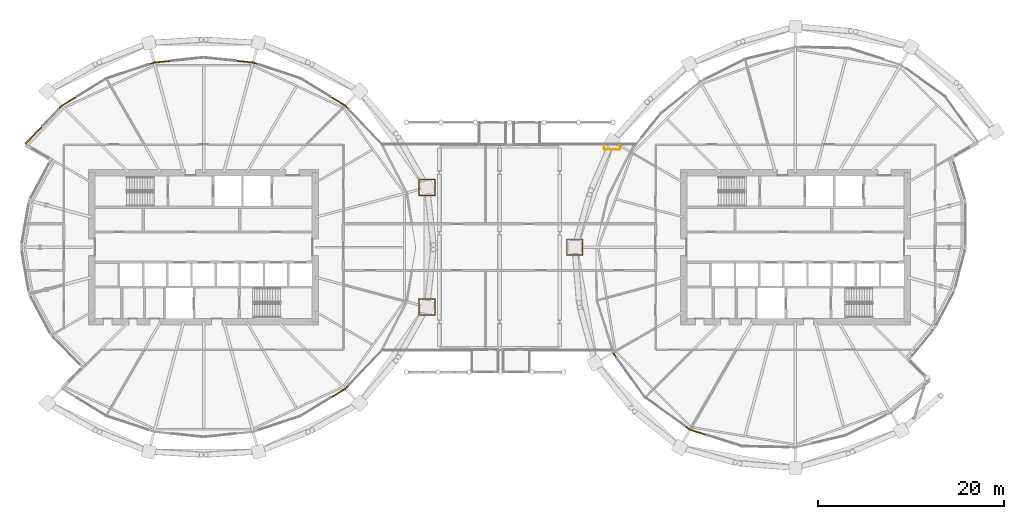
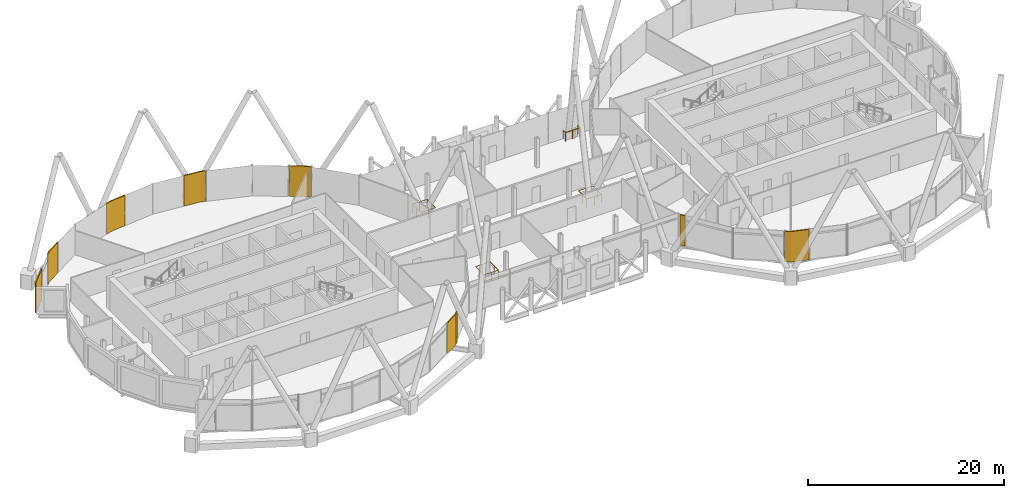
# One storey, part 33 of 35: 8 coverings, 4 railings.
"""IFC4 building model written with IfcOpenShell, lengths in metres."""

from ifc_helpers import new_model, si_unit, direction, frame, origin, origin_2d, place, context, subcontext, project, spatial, polyline, circle, outline, extrude, material, layer, layer_set, type_object, element, save


model = new_model("IFC4")

# Units and contexts
model_context = context("Model", 3, precision=1e-05, world=origin(), true_north=direction((0.0, 1.0)))
body_context = subcontext(model_context, "Body", "Model", "MODEL_VIEW")
ifc_project = project(units=[si_unit("LENGTHUNIT", "METRE"), si_unit("AREAUNIT", "SQUARE_METRE"), si_unit("VOLUMEUNIT", "CUBIC_METRE"), si_unit("PLANEANGLEUNIT", "RADIAN"), si_unit("MASSUNIT", "GRAM", prefix="KILO")], contexts=[model_context])

# Site, building, storey
site_placement = place(None, origin())
site = spatial("IfcSite", under=ifc_project, at=site_placement, CompositionType="ELEMENT")
building_placement = place(site_placement, origin())
building = spatial("IfcBuilding", under=site, at=building_placement, Name="Rimbun Link Towers", CompositionType="ELEMENT")
storey_placement = place(building_placement, frame((0.0, 0.0, 146.800048828125)))
storey = spatial("IfcBuildingStorey", under=building, at=storey_placement, Name="L35", CompositionType="ELEMENT", Elevation=146.800048828125)

# Railings
ifc_material_1 = material(Name="Stainless steel grade 316", Category="steel")
railing_type = type_object("IfcRailingType", Name="GUARD stainless rail and posts", PredefinedType="GUARDRAIL", material=ifc_material_1)
for number, where, name in (
    (1, (-6.928466796875, 7.27685546875, 0.0), "GUARD"),
    (2, (-6.928466796875, -5.56689453125, 0.0), "GUARD"),
):
    element("IfcRailing", number, at=place(storey_placement, frame(where)), inside=storey, type_object=railing_type, Name=name, PredefinedType="GUARDRAIL", context=body_context, shape_type="SweptSolid", body=[
        extrude(circle(Radius=0.02392578125, at=origin_2d()), frame((0.0, 0.0, 1.076171875), z_axis=(0.0, -1.0, 0.0), x_axis=(1.0, 0.0, 0.0)), (0.0, 0.0, 1.0), 1.7099609375),
        extrude(circle(Radius=0.02392578125, at=origin_2d()), frame((0.0, -1.7099609375, 1.076171875), z_axis=(-1.0, 0.0, 0.0), x_axis=(0.0, -1.0, 0.0)), (0.0, 0.0, 1.0), 1.7099609375),
        extrude(circle(Radius=0.02392578125, at=origin_2d()), frame((-1.7099609375, -1.7099609375, 1.076171875), z_axis=(0.0, 1.0, 0.0), x_axis=(-1.0, 0.0, 0.0)), (0.0, 0.0, 1.0), 1.7099609375),
        extrude(circle(Radius=0.02392578125, at=origin_2d()), frame((-1.7099609375, 0.0, 1.076171875), z_axis=(1.0, 0.0, 0.0), x_axis=(0.0, 1.0, 0.0)), (0.0, 0.0, 1.0), 1.7099609375),
        extrude(circle(Radius=0.02099609375, at=origin_2d()), origin(), (0.0, 0.0, 1.0), 1.052001953125),
        extrude(circle(Radius=0.02099609375, at=origin_2d()), frame((0.0, -0.85498046875, 0.0)), (0.0, 0.0, 1.0), 1.052001953125),
        extrude(circle(Radius=0.02099609375, at=origin_2d()), frame((0.0, -1.7099609375, 0.0)), (0.0, 0.0, 1.0), 1.052001953125),
        extrude(circle(Radius=0.02099609375, at=origin_2d()), frame((-0.85498046875, -1.7099609375, 0.0)), (0.0, 0.0, 1.0), 1.052001953125),
        extrude(circle(Radius=0.02099609375, at=origin_2d()), frame((-1.7099609375, -1.7099609375, 0.0)), (0.0, 0.0, 1.0), 1.052001953125),
        extrude(circle(Radius=0.02099609375, at=origin_2d()), frame((-1.7099609375, -0.85498046875, 0.0)), (0.0, 0.0, 1.0), 1.052001953125),
        extrude(circle(Radius=0.02099609375, at=origin_2d()), frame((-1.7099609375, 0.0, 0.0)), (0.0, 0.0, 1.0), 1.052001953125),
        extrude(circle(Radius=0.02099609375, at=origin_2d()), frame((-0.85498046875, 0.0, 0.0)), (0.0, 0.0, 1.0), 1.052001953125),
    ])
railing_1_placement = place(storey_placement, frame((12.94189453125, 10.93994140625, 0.0)))
element("IfcRailing", 3, at=railing_1_placement, inside=storey, type_object=railing_type, Name="GUARD", PredefinedType="GUARDRAIL", context=body_context, shape_type="SweptSolid", body=[
    extrude(circle(Radius=0.02392578125, at=origin_2d()), frame((0.0, 0.0, 1.076171875), z_axis=(0.0, -1.0, 0.0), x_axis=(1.0, 0.0, 0.0)), (0.0, 0.0, 1.0), 0.4423828125),
    extrude(circle(Radius=0.02392578125, at=origin_2d()), frame((0.0, -0.4423828125, 1.076171875), z_axis=(-1.0, 0.0, 0.0), x_axis=(0.0, -1.0, 0.0)), (0.0, 0.0, 1.0), 1.7099609375),
    extrude(circle(Radius=0.02392578125, at=origin_2d()), frame((-1.7099609375, -0.4423828125, 1.076171875), z_axis=(0.0, 1.0, 0.0), x_axis=(-1.0, 0.0, 0.0)), (0.0, 0.0, 1.0), 0.4423828125),
    extrude(circle(Radius=0.02099609375, at=origin_2d()), origin(), (0.0, 0.0, 1.0), 1.052001953125),
    extrude(circle(Radius=0.02099609375, at=origin_2d()), frame((0.0, -0.4423828125, 0.0)), (0.0, 0.0, 1.0), 1.052001953125),
    extrude(circle(Radius=0.02099609375, at=origin_2d()), frame((-0.85498046875, -0.4423828125, 0.0)), (0.0, 0.0, 1.0), 1.052001953125),
    extrude(circle(Radius=0.02099609375, at=origin_2d()), frame((-1.7099609375, -0.4423828125, 0.0)), (0.0, 0.0, 1.0), 1.052001953125),
    extrude(circle(Radius=0.02099609375, at=origin_2d()), frame((-1.7099609375, 0.0, 0.0)), (0.0, 0.0, 1.0), 1.052001953125),
])
railing_2_placement = place(storey_placement, frame((8.923828125, 0.85498046875, 0.0)))
element("IfcRailing", 4, at=railing_2_placement, inside=storey, type_object=railing_type, Name="GUARD", PredefinedType="GUARDRAIL", context=body_context, shape_type="SweptSolid", body=[
    extrude(circle(Radius=0.02392578125, at=origin_2d()), frame((0.0, 0.0, 1.076171875), z_axis=(0.0, -1.0, 0.0), x_axis=(1.0, 0.0, 0.0)), (0.0, 0.0, 1.0), 1.7099609375),
    extrude(circle(Radius=0.02392578125, at=origin_2d()), frame((0.0, -1.7099609375, 1.076171875), z_axis=(-1.0, 0.0, 0.0), x_axis=(0.0, -1.0, 0.0)), (0.0, 0.0, 1.0), 1.7099609375),
    extrude(circle(Radius=0.02392578125, at=origin_2d()), frame((-1.7099609375, -1.7099609375, 1.076171875), z_axis=(0.0, 1.0, 0.0), x_axis=(-1.0, 0.0, 0.0)), (0.0, 0.0, 1.0), 1.7099609375),
    extrude(circle(Radius=0.02392578125, at=origin_2d()), frame((-1.7099609375, 0.0, 1.076171875), z_axis=(1.0, 0.0, 0.0), x_axis=(0.0, 1.0, 0.0)), (0.0, 0.0, 1.0), 1.7099609375),
    extrude(circle(Radius=0.02099609375, at=origin_2d()), origin(), (0.0, 0.0, 1.0), 1.052001953125),
    extrude(circle(Radius=0.02099609375, at=origin_2d()), frame((0.0, -0.85498046875, 0.0)), (0.0, 0.0, 1.0), 1.052001953125),
    extrude(circle(Radius=0.02099609375, at=origin_2d()), frame((0.0, -1.7099609375, 0.0)), (0.0, 0.0, 1.0), 1.052001953125),
    extrude(circle(Radius=0.02099609375, at=origin_2d()), frame((-0.85498046875, -1.7099609375, 0.0)), (0.0, 0.0, 1.0), 1.052001953125),
    extrude(circle(Radius=0.02099609375, at=origin_2d()), frame((-1.7099609375, -1.7099609375, 0.0)), (0.0, 0.0, 1.0), 1.052001953125),
    extrude(circle(Radius=0.02099609375, at=origin_2d()), frame((-1.7099609375, -0.85498046875, 0.0)), (0.0, 0.0, 1.0), 1.052001953125),
    extrude(circle(Radius=0.02099609375, at=origin_2d()), frame((-1.7099609375, 0.0, 0.0)), (0.0, 0.0, 1.0), 1.052001953125),
    extrude(circle(Radius=0.02099609375, at=origin_2d()), frame((-0.85498046875, 0.0, 0.0)), (0.0, 0.0, 1.0), 1.052001953125),
])

# Coverings
ifc_material_2 = material(Name="Terracotta", Category="masonry")
ifc_layer = layer(ifc_material_2, 0.1201171875)
ifc_layer_set = layer_set([ifc_layer], Name="LINK PIER terracotta cladding 120")
covering_type = type_object("IfcCoveringType", Name="LINK PIER terracotta cladding 120", PredefinedType="CLADDING", material=ifc_layer_set)
covering_1_placement = place(storey_placement, origin())
element("IfcCovering", 5, at=covering_1_placement, inside=storey, type_object=covering_type, Name="LINK PIER cladding", PredefinedType="CLADDING", context=body_context, shape_type="SweptSolid", body=[
    extrude(outline(polyline([(-18.104248046875, 16.080322265625), (-16.595703125, 15.154296875), (-16.23583984375, 14.77880859375), (-16.1494140625, 14.86181640625), (-16.519775390625, 15.248291015625), (-18.04150390625, 16.1826171875), (-18.104248046875, 16.080322265625)])), origin(), (0.0, 0.0, 1.0), 3.800048828125),
])
covering_2_placement = place(storey_placement, origin())
element("IfcCovering", 6, at=covering_2_placement, inside=storey, type_object=covering_type, Name="LINK PIER cladding", PredefinedType="CLADDING", context=body_context, shape_type="SweptSolid", body=[
    extrude(outline(polyline([(-28.265869140625, 19.94873046875), (-26.455810546875, 19.758056640625), (-25.914794921875, 19.57861328125), (-25.877197265625, 19.692626953125), (-26.430419921875, 19.8759765625), (-28.25341796875, 20.06787109375), (-28.265869140625, 19.94873046875)])), origin(), (0.0, 0.0, 1.0), 3.800048828125),
])
covering_3_placement = place(storey_placement, origin())
element("IfcCovering", 7, at=covering_3_placement, inside=storey, type_object=covering_type, Name="LINK PIER cladding", PredefinedType="CLADDING", context=body_context, shape_type="SweptSolid", body=[
    extrude(outline(polyline([(-37.585205078125, 19.57861328125), (-37.044189453125, 19.758056640625), (-35.234130859375, 19.94873046875), (-35.24658203125, 20.06787109375), (-37.069580078125, 19.8759765625), (-37.622802734375, 19.692626953125), (-37.585205078125, 19.57861328125)])), origin(), (0.0, 0.0, 1.0), 3.800048828125),
])
covering_4_placement = place(storey_placement, origin())
element("IfcCovering", 8, at=covering_4_placement, inside=storey, type_object=covering_type, Name="LINK PIER cladding", PredefinedType="CLADDING", context=body_context, shape_type="SweptSolid", body=[
    extrude(outline(polyline([(-50.8359375, 11.052978515625), (-49.043701171875, 12.922607421875), (-49.13037109375, 13.005615234375), (-50.922607421875, 11.135986328125), (-50.8359375, 11.052978515625)])), origin(), (0.0, 0.0, 1.0), 3.800048828125),
])
covering_5_placement = place(storey_placement, origin())
element("IfcCovering", 9, at=covering_5_placement, inside=storey, type_object=covering_type, Name="LINK PIER cladding", PredefinedType="CLADDING", context=body_context, shape_type="SweptSolid", body=[
    extrude(outline(polyline([(-47.26416015625, 14.77880859375), (-46.904296875, 15.154296875), (-45.353271484375, 16.1064453125), (-45.416015625, 16.208740234375), (-46.980224609375, 15.248291015625), (-47.3505859375, 14.86181640625), (-47.26416015625, 14.77880859375)])), origin(), (0.0, 0.0, 1.0), 3.800048828125),
])
covering_6_placement = place(storey_placement, origin())
element("IfcCovering", 10, at=covering_6_placement, inside=storey, type_object=covering_type, Name="LINK PIER cladding", PredefinedType="CLADDING", context=body_context, shape_type="SweptSolid", body=[
    extrude(outline(polyline([(-16.23583984375, -14.77880859375), (-16.595703125, -15.154296875), (-18.104248046875, -16.080322265625), (-18.04150390625, -16.1826171875), (-16.519775390625, -15.248291015625), (-16.1494140625, -14.86181640625), (-16.23583984375, -14.77880859375)])), origin(), (0.0, 0.0, 1.0), 3.800048828125),
])
covering_7_placement = place(storey_placement, origin())
element("IfcCovering", 11, at=covering_7_placement, inside=storey, type_object=covering_type, Name="LINK PIER cladding", PredefinedType="CLADDING", context=body_context, shape_type="SweptSolid", body=[
    extrude(outline(polyline([(12.54296875, -11.744140625), (12.228271484375, -11.305419921875), (12.130615234375, -11.375244140625), (12.445556640625, -11.81396484375), (12.54296875, -11.744140625)])), origin(), (0.0, 0.0, 1.0), 3.800048828125),
])
covering_8_placement = place(storey_placement, origin())
element("IfcCovering", 12, at=covering_8_placement, inside=storey, type_object=covering_type, Name="LINK PIER cladding", PredefinedType="CLADDING", context=body_context, shape_type="SweptSolid", body=[
    extrude(outline(polyline([(22.2509765625, -20.10595703125), (20.468994140625, -19.539306640625), (19.96533203125, -19.177734375), (19.895263671875, -19.275390625), (20.41455078125, -19.64794921875), (22.214599609375, -20.220458984375), (22.2509765625, -20.10595703125)])), origin(), (0.0, 0.0, 1.0), 3.800048828125),
])

save(model, "model.ifc")
